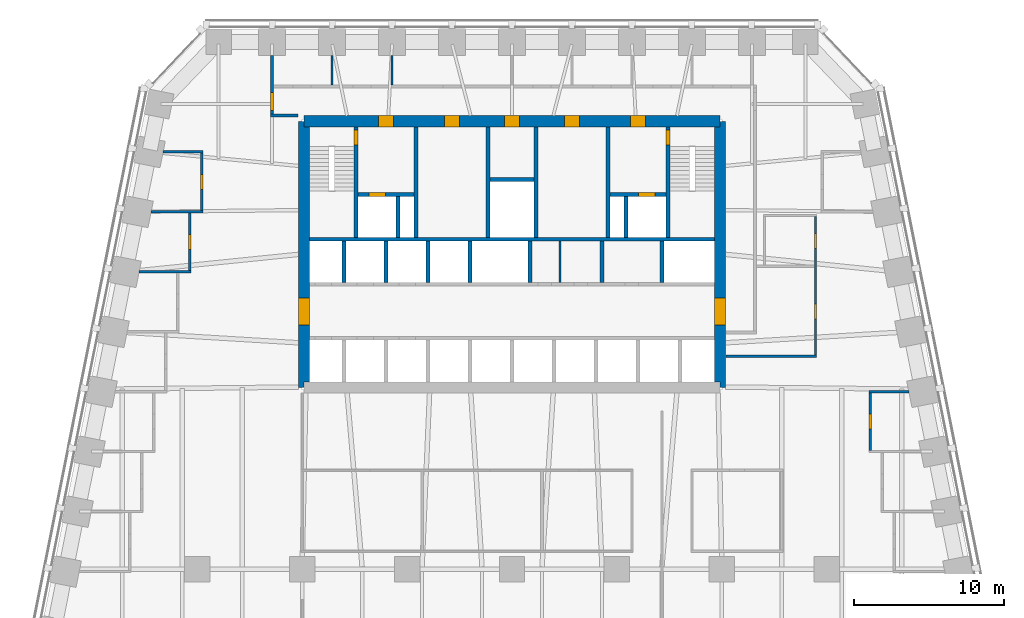
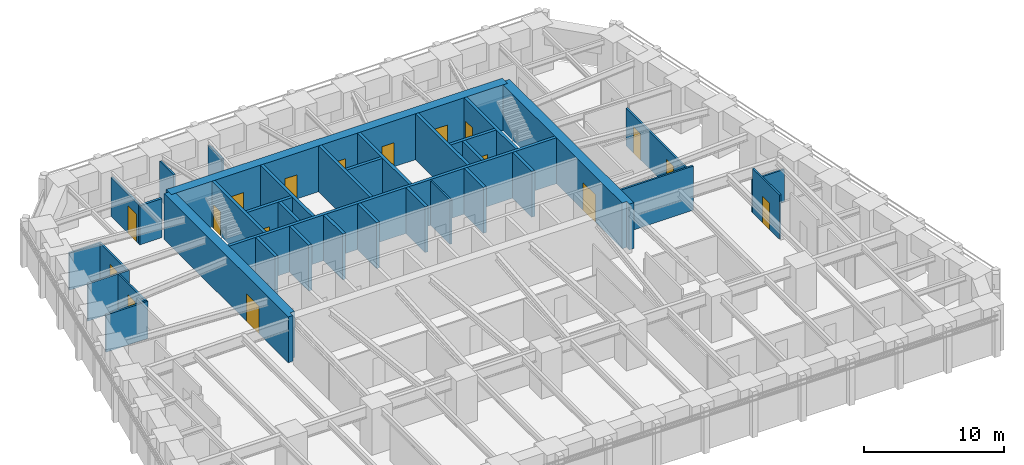
# One storey, part 7 of 10: 36 walls, 17 doors, 17 openings.
"""IFC4 building model written with IfcOpenShell, lengths in metres."""

from ifc_helpers import new_model, si_unit, direction, frame, frame_2d, origin, place, context, subcontext, project, spatial, polyline, rectangle, outline, extrude, material, layer, layer_set, type_object, element, fill, save


model = new_model("IFC4")

# Units and contexts
model_context = context("Model", 3, precision=1e-05, world=origin(), true_north=direction((0.0, 1.0)))
body_context = subcontext(model_context, "Body", "Model", "MODEL_VIEW")
ifc_project = project(units=[si_unit("LENGTHUNIT", "METRE"), si_unit("AREAUNIT", "SQUARE_METRE"), si_unit("VOLUMEUNIT", "CUBIC_METRE"), si_unit("PLANEANGLEUNIT", "RADIAN"), si_unit("MASSUNIT", "GRAM", prefix="KILO")], contexts=[model_context])

# Site, building, storey
site_placement = place(None, origin())
site = spatial("IfcSite", under=ifc_project, at=site_placement, CompositionType="ELEMENT")
building_placement = place(site_placement, origin())
building = spatial("IfcBuilding", under=site, at=building_placement, Name="Isbrekke Arena Tower", CompositionType="ELEMENT")
storey_placement = place(building_placement, frame((0.0, 0.0, 159.0)))
storey = spatial("IfcBuildingStorey", under=building, at=storey_placement, Name="L36", CompositionType="ELEMENT", Elevation=159.0)

# Wall, opening, door
ifc_material_1 = material(Name="Concrete B55 (C55/67)", Category="concrete")
ifc_layer_1 = layer(ifc_material_1, 0.75)
ifc_layer_set_1 = layer_set([ifc_layer_1], Name="CW3 CORE WALL 750")
wall_type_1 = type_object("IfcWallType", Name="CW3 CORE WALL 750", PredefinedType="SHEAR", material=ifc_layer_set_1)
wall_1_placement = place(storey_placement, frame((13.875, 6.125, 0.0), z_axis=(0.0, 0.0, 1.0), x_axis=(0.0, 1.0, 0.0)))
wall_1 = element("IfcWall", 1, at=wall_1_placement, inside=storey, type_object=wall_type_1, Name="Core wall E L36", PredefinedType="SHEAR", context=body_context, shape_type="SweptSolid", body=[
    extrude(outline(polyline([(0.0, -0.375), (17.75, -0.375), (17.75, 0.0), (17.375, 0.0), (17.375, 0.375), (0.375, 0.375), (0.375, 0.0), (0.0, 0.0), (0.0, -0.375)])), origin(), (0.0, 0.0, 1.0), 4.0),
])
opening_1_placement = place(wall_1_placement, frame((4.175048828125, 0.0, 0.0)))
opening_1 = element("IfcOpeningElement", 2, at=opening_1_placement, cuts=wall_1, Name="Opening D1", PredefinedType="OPENING", context=body_context, shape_type="SweptSolid", body=[
    extrude(rectangle(XDim=1.800048828125, YDim=2.39990234375, at=frame_2d((0.89990234375, 1.199951171875))), frame((0.0, 0.389892578125, 0.0), z_axis=(0.0, -1.0, 0.0), x_axis=(1.0, 0.0, 0.0)), (0.0, 0.0, 1.0), 0.77978515625),
])
ifc_material_2 = material(Name="Steel-framed glazed fire door", Category="steel")
door_type_1 = type_object("IfcDoorType", Name="D1 CORE LOBBY DOOR 1800 x 2400", OperationType="DOUBLE_DOOR_SINGLE_SWING", PredefinedType="DOOR", material=ifc_material_2)
door_1_placement = place(opening_1_placement, origin())
door_1 = element("IfcDoor", 3, at=door_1_placement, inside=storey, type_object=door_type_1, Name="D1 lift lobby door east L36", OperationType="DOUBLE_DOOR_SINGLE_SWING", OverallHeight=2.39990234375, OverallWidth=1.800048828125, PredefinedType="DOOR", context=body_context, shape_type="SweptSolid", body=[
    extrude(rectangle(XDim=1.800048828125, YDim=2.39990234375, at=frame_2d((0.89990234375, 1.199951171875))), frame((0.0, 0.374755859375, 0.0), z_axis=(0.0, -1.0, 0.0), x_axis=(1.0, 0.0, 0.0)), (0.0, 0.0, 1.0), 0.74951171875),
])
fill(opening_1, door_1)

# Wall, openings, doors
wall_2_placement = place(storey_placement, frame((13.875, 23.875, 0.0), z_axis=(0.0, 0.0, 1.0), x_axis=(-1.0, 0.0, 0.0)))
wall_2 = element("IfcWall", 4, at=wall_2_placement, inside=storey, type_object=wall_type_1, Name="Core wall N L36", PredefinedType="SHEAR", context=body_context, shape_type="SweptSolid", body=[
    extrude(rectangle(XDim=27.75, YDim=0.75, at=frame_2d((13.875, 0.0))), origin(), (0.0, 0.0, 1.0), 4.0),
])
opening_2_placement = place(wall_2_placement, frame((21.77490234375, 0.0, 0.0)))
opening_2 = element("IfcOpeningElement", 5, at=opening_2_placement, cuts=wall_2, Name="Opening D3", PredefinedType="OPENING", context=body_context, shape_type="SweptSolid", body=[
    extrude(rectangle(XDim=1.0, YDim=2.10009765625, at=frame_2d((0.5, 1.050048828125))), frame((0.0, 0.389892578125, 0.0), z_axis=(0.0, -1.0, 0.0), x_axis=(1.0, 0.0, 0.0)), (0.0, 0.0, 1.0), 0.77978515625),
])
opening_3_placement = place(wall_2_placement, frame((4.97509765625, 0.0, 0.0)))
opening_3 = element("IfcOpeningElement", 6, at=opening_3_placement, cuts=wall_2, Name="Opening D3", PredefinedType="OPENING", context=body_context, shape_type="SweptSolid", body=[
    extrude(rectangle(XDim=1.0, YDim=2.10009765625, at=frame_2d((0.5, 1.050048828125))), frame((0.0, 0.389892578125, 0.0), z_axis=(0.0, -1.0, 0.0), x_axis=(1.0, 0.0, 0.0)), (0.0, 0.0, 1.0), 0.77978515625),
])
opening_4_placement = place(wall_2_placement, frame((17.375, 0.0, 0.0)))
opening_4 = element("IfcOpeningElement", 7, at=opening_4_placement, cuts=wall_2, Name="Opening D4", PredefinedType="OPENING", context=body_context, shape_type="SweptSolid", body=[
    extrude(rectangle(XDim=1.0, YDim=2.10009765625, at=frame_2d((0.5, 1.050048828125))), frame((0.0, 0.389892578125, 0.0), z_axis=(0.0, -1.0, 0.0), x_axis=(1.0, 0.0, 0.0)), (0.0, 0.0, 1.0), 0.77978515625),
])
opening_5_placement = place(wall_2_placement, frame((13.375, 0.0, 0.0)))
opening_5 = element("IfcOpeningElement", 8, at=opening_5_placement, cuts=wall_2, Name="Opening D4", PredefinedType="OPENING", context=body_context, shape_type="SweptSolid", body=[
    extrude(rectangle(XDim=1.0, YDim=2.10009765625, at=frame_2d((0.5, 1.050048828125))), frame((0.0, 0.389892578125, 0.0), z_axis=(0.0, -1.0, 0.0), x_axis=(1.0, 0.0, 0.0)), (0.0, 0.0, 1.0), 0.77978515625),
])
opening_6_placement = place(wall_2_placement, frame((9.375, 0.0, 0.0)))
opening_6 = element("IfcOpeningElement", 9, at=opening_6_placement, cuts=wall_2, Name="Opening D4", PredefinedType="OPENING", context=body_context, shape_type="SweptSolid", body=[
    extrude(rectangle(XDim=1.0, YDim=2.10009765625, at=frame_2d((0.5, 1.050048828125))), frame((0.0, 0.389892578125, 0.0), z_axis=(0.0, -1.0, 0.0), x_axis=(1.0, 0.0, 0.0)), (0.0, 0.0, 1.0), 0.77978515625),
])
ifc_material_3 = material(Name="Steel fire door", Category="steel")
door_type_2 = type_object("IfcDoorType", Name="D3 FIRE LOBBY DOOR 1000 x 2100", OperationType="SINGLE_SWING_RIGHT", PredefinedType="DOOR", material=ifc_material_3)
door_2_placement = place(opening_2_placement, origin())
door_2 = element("IfcDoor", 10, at=door_2_placement, inside=storey, type_object=door_type_2, Name="D3 fire-fighting lobby door L36", OperationType="SINGLE_SWING_RIGHT", OverallHeight=2.10009765625, OverallWidth=1.0, PredefinedType="DOOR", context=body_context, shape_type="SweptSolid", body=[
    extrude(rectangle(XDim=1.0, YDim=2.10009765625, at=frame_2d((0.5, 1.050048828125))), frame((0.0, 0.374755859375, 0.0), z_axis=(0.0, -1.0, 0.0), x_axis=(1.0, 0.0, 0.0)), (0.0, 0.0, 1.0), 0.74951171875),
])
fill(opening_2, door_2)
door_3_placement = place(opening_3_placement, origin())
door_3 = element("IfcDoor", 11, at=door_3_placement, inside=storey, type_object=door_type_2, Name="D3 fire-fighting lobby door L36", OperationType="SINGLE_SWING_RIGHT", OverallHeight=2.10009765625, OverallWidth=1.0, PredefinedType="DOOR", context=body_context, shape_type="SweptSolid", body=[
    extrude(rectangle(XDim=1.0, YDim=2.10009765625, at=frame_2d((0.5, 1.050048828125))), frame((0.0, 0.374755859375, 0.0), z_axis=(0.0, -1.0, 0.0), x_axis=(1.0, 0.0, 0.0)), (0.0, 0.0, 1.0), 0.74951171875),
])
fill(opening_3, door_3)
ifc_material_4 = material(Name="Timber door", Category="wood")
door_type_3 = type_object("IfcDoorType", Name="D4 WC DOOR 1000 x 2100", OperationType="SINGLE_SWING_LEFT", PredefinedType="DOOR", material=ifc_material_4)
door_4_placement = place(opening_4_placement, origin())
door_4 = element("IfcDoor", 12, at=door_4_placement, inside=storey, type_object=door_type_3, Name="D4 wc female door L36", OperationType="SINGLE_SWING_LEFT", OverallHeight=2.10009765625, OverallWidth=1.0, PredefinedType="DOOR", context=body_context, shape_type="SweptSolid", body=[
    extrude(rectangle(XDim=1.0, YDim=2.10009765625, at=frame_2d((0.5, 1.050048828125))), frame((0.0, 0.374755859375, 0.0), z_axis=(0.0, -1.0, 0.0), x_axis=(1.0, 0.0, 0.0)), (0.0, 0.0, 1.0), 0.74951171875),
])
fill(opening_4, door_4)
door_5_placement = place(opening_5_placement, origin())
door_5 = element("IfcDoor", 13, at=door_5_placement, inside=storey, type_object=door_type_3, Name="D4 accessible wc door L36", OperationType="SINGLE_SWING_LEFT", OverallHeight=2.10009765625, OverallWidth=1.0, PredefinedType="DOOR", context=body_context, shape_type="SweptSolid", body=[
    extrude(rectangle(XDim=1.0, YDim=2.10009765625, at=frame_2d((0.5, 1.050048828125))), frame((0.0, 0.374755859375, 0.0), z_axis=(0.0, -1.0, 0.0), x_axis=(1.0, 0.0, 0.0)), (0.0, 0.0, 1.0), 0.74951171875),
])
fill(opening_5, door_5)
door_6_placement = place(opening_6_placement, origin())
door_6 = element("IfcDoor", 14, at=door_6_placement, inside=storey, type_object=door_type_3, Name="D4 wc male door L36", OperationType="SINGLE_SWING_LEFT", OverallHeight=2.10009765625, OverallWidth=1.0, PredefinedType="DOOR", context=body_context, shape_type="SweptSolid", body=[
    extrude(rectangle(XDim=1.0, YDim=2.10009765625, at=frame_2d((0.5, 1.050048828125))), frame((0.0, 0.374755859375, 0.0), z_axis=(0.0, -1.0, 0.0), x_axis=(1.0, 0.0, 0.0)), (0.0, 0.0, 1.0), 0.74951171875),
])
fill(opening_6, door_6)

# Wall, opening, door
wall_3_placement = place(storey_placement, frame((-13.875, 23.875, 0.0), z_axis=(0.0, 0.0, 1.0), x_axis=(0.0, -1.0, 0.0)))
wall_3 = element("IfcWall", 15, at=wall_3_placement, inside=storey, type_object=wall_type_1, Name="Core wall W L36", PredefinedType="SHEAR", context=body_context, shape_type="SweptSolid", body=[
    extrude(outline(polyline([(0.0, -0.375), (17.75, -0.375), (17.75, 0.0), (17.375, 0.0), (17.375, 0.375), (0.375, 0.375), (0.375, 0.0), (0.0, 0.0), (0.0, -0.375)])), origin(), (0.0, 0.0, 1.0), 4.0),
])
opening_7_placement = place(wall_3_placement, frame((11.77490234375, 0.0, 0.0)))
opening_7 = element("IfcOpeningElement", 16, at=opening_7_placement, cuts=wall_3, Name="Opening D1", PredefinedType="OPENING", context=body_context, shape_type="SweptSolid", body=[
    extrude(rectangle(XDim=1.800048828125, YDim=2.39990234375, at=frame_2d((0.89990234375, 1.199951171875))), frame((0.0, 0.389892578125, 0.0), z_axis=(0.0, -1.0, 0.0), x_axis=(1.0, 0.0, 0.0)), (0.0, 0.0, 1.0), 0.77978515625),
])
door_7_placement = place(opening_7_placement, origin())
door_7 = element("IfcDoor", 17, at=door_7_placement, inside=storey, type_object=door_type_1, Name="D1 lift lobby door west L36", OperationType="DOUBLE_DOOR_SINGLE_SWING", OverallHeight=2.39990234375, OverallWidth=1.800048828125, PredefinedType="DOOR", context=body_context, shape_type="SweptSolid", body=[
    extrude(rectangle(XDim=1.800048828125, YDim=2.39990234375, at=frame_2d((0.89990234375, 1.199951171875))), frame((0.0, 0.374755859375, 0.0), z_axis=(0.0, -1.0, 0.0), x_axis=(1.0, 0.0, 0.0)), (0.0, 0.0, 1.0), 0.74951171875),
])
fill(opening_7, door_7)

# Walls
ifc_material_5 = material(Name="Concrete B45 (C45/55)", Category="concrete")
ifc_layer_2 = layer(ifc_material_5, 0.25)
ifc_layer_set_2 = layer_set([ifc_layer_2], Name="CW6 SHAFT WALL 250")
wall_type_2 = type_object("IfcWallType", Name="CW6 SHAFT WALL 250", PredefinedType="SHEAR", material=ifc_layer_set_2)
wall_4_placement = place(storey_placement, frame((-13.5, 16.0, 0.0), z_axis=(0.0, 0.0, 1.0), x_axis=(1.0, 0.0, 0.0)))
element("IfcWall", 18, at=wall_4_placement, inside=storey, type_object=wall_type_2, Name="Core wall NB L36", PredefinedType="SHEAR", context=body_context, shape_type="SweptSolid", body=[
    extrude(rectangle(XDim=27.0, YDim=0.25, at=frame_2d((13.5, 0.0))), origin(), (0.0, 0.0, 1.0), 4.0),
])
for number, where, z_axis, x_axis, name in (
    (19, (-11.199951171875, 13.125, 0.0), (0.0, 0.0, 1.0), (0.0, 1.0, 0.0), "Core wall SN01 L36"),
    (20, (-8.39990234375, 13.125, 0.0), (0.0, 0.0, 1.0), (0.0, 1.0, 0.0), "Core wall SN02 L36"),
    (21, (-5.60009765625, 13.125, 0.0), (0.0, 0.0, 1.0), (0.0, 1.0, 0.0), "Core wall SN03 L36"),
    (22, (-2.800048828125, 13.125, 0.0), (0.0, 0.0, 1.0), (0.0, 1.0, 0.0), "Core wall SN04 L36"),
    (23, (1.199951171875, 13.125, 0.0), (0.0, 0.0, 1.0), (0.0, 1.0, 0.0), "Core wall SN05 L36"),
    (24, (6.0, 13.125, 0.0), (0.0, 0.0, 1.0), (0.0, 1.0, 0.0), "Core wall SN06 L36"),
    (25, (10.0, 13.125, 0.0), (0.0, 0.0, 1.0), (0.0, 1.0, 0.0), "Core wall SN07 L36"),
):
    element("IfcWall", number, at=place(storey_placement, frame(where, z_axis=z_axis, x_axis=x_axis)), inside=storey, type_object=wall_type_2, Name=name, PredefinedType="SHEAR", context=body_context, shape_type="SweptSolid", body=[
        extrude(rectangle(XDim=2.75, YDim=0.25, at=frame_2d((1.375, 0.0))), origin(), (0.0, 0.0, 1.0), 4.0),
    ])

# Wall, opening, door
wall_5_placement = place(storey_placement, frame((-10.39990234375, 16.125, 0.0), z_axis=(0.0, 0.0, 1.0), x_axis=(0.0, 1.0, 0.0)))
wall_5 = element("IfcWall", 26, at=wall_5_placement, inside=storey, type_object=wall_type_2, Name="Core wall NV01 L36", PredefinedType="SHEAR", context=body_context, shape_type="SweptSolid", body=[
    extrude(rectangle(XDim=7.375, YDim=0.25, at=frame_2d((3.6875, 0.0))), origin(), (0.0, 0.0, 1.0), 4.0),
])
opening_8_placement = place(wall_5_placement, frame((6.175048828125, 0.0, 0.0)))
opening_8 = element("IfcOpeningElement", 27, at=opening_8_placement, cuts=wall_5, Name="Opening D2", PredefinedType="OPENING", context=body_context, shape_type="SweptSolid", body=[
    extrude(rectangle(XDim=1.0, YDim=2.10009765625, at=frame_2d((0.5, 1.050048828125))), frame((0.0, 0.139892578125, 0.0), z_axis=(0.0, -1.0, 0.0), x_axis=(1.0, 0.0, 0.0)), (0.0, 0.0, 1.0), 0.27978515625),
])
ifc_material_6 = material(Name="Steel fire door", Category="steel")
door_type_4 = type_object("IfcDoorType", Name="D2 STAIR DOOR 1000 x 2100", OperationType="SINGLE_SWING_LEFT", PredefinedType="DOOR", material=ifc_material_6)
door_8_placement = place(opening_8_placement, origin())
door_8 = element("IfcDoor", 28, at=door_8_placement, inside=storey, type_object=door_type_4, Name="D2 stair door ST1 L36", OperationType="SINGLE_SWING_LEFT", OverallHeight=2.10009765625, OverallWidth=1.0, PredefinedType="DOOR", context=body_context, shape_type="SweptSolid", body=[
    extrude(rectangle(XDim=1.0, YDim=2.10009765625, at=frame_2d((0.5, 1.050048828125))), frame((0.0, 0.124755859375, 0.0), z_axis=(0.0, -1.0, 0.0), x_axis=(1.0, 0.0, 0.0)), (0.0, 0.0, 1.0), 0.24951171875),
])
fill(opening_8, door_8)

# Walls
for number, where, z_axis, x_axis, name in (
    (29, (-6.39990234375, 16.125, 0.0), (0.0, 0.0, 1.0), (0.0, 1.0, 0.0), "Core wall NV02 L36"),
    (30, (-1.60009765625, 16.125, 0.0), (0.0, 0.0, 1.0), (0.0, 1.0, 0.0), "Core wall NV03 L36"),
    (31, (1.60009765625, 16.125, 0.0), (0.0, 0.0, 1.0), (0.0, 1.0, 0.0), "Core wall NV04 L36"),
    (32, (6.39990234375, 16.125, 0.0), (0.0, 0.0, 1.0), (0.0, 1.0, 0.0), "Core wall NV05 L36"),
):
    element("IfcWall", number, at=place(storey_placement, frame(where, z_axis=z_axis, x_axis=x_axis)), inside=storey, type_object=wall_type_2, Name=name, PredefinedType="SHEAR", context=body_context, shape_type="SweptSolid", body=[
        extrude(rectangle(XDim=7.375, YDim=0.25, at=frame_2d((3.6875, 0.0))), origin(), (0.0, 0.0, 1.0), 4.0),
    ])

# Wall, opening, door
wall_6_placement = place(storey_placement, frame((10.39990234375, 16.125, 0.0), z_axis=(0.0, 0.0, 1.0), x_axis=(0.0, 1.0, 0.0)))
wall_6 = element("IfcWall", 33, at=wall_6_placement, inside=storey, type_object=wall_type_2, Name="Core wall NV06 L36", PredefinedType="SHEAR", context=body_context, shape_type="SweptSolid", body=[
    extrude(rectangle(XDim=7.375, YDim=0.25, at=frame_2d((3.6875, 0.0))), origin(), (0.0, 0.0, 1.0), 4.0),
])
opening_9_placement = place(wall_6_placement, frame((6.175048828125, 0.0, 0.0)))
opening_9 = element("IfcOpeningElement", 34, at=opening_9_placement, cuts=wall_6, Name="Opening D2", PredefinedType="OPENING", context=body_context, shape_type="SweptSolid", body=[
    extrude(rectangle(XDim=1.0, YDim=2.10009765625, at=frame_2d((0.5, 1.050048828125))), frame((0.0, 0.139892578125, 0.0), z_axis=(0.0, -1.0, 0.0), x_axis=(1.0, 0.0, 0.0)), (0.0, 0.0, 1.0), 0.27978515625),
])
door_9_placement = place(opening_9_placement, origin())
door_9 = element("IfcDoor", 35, at=door_9_placement, inside=storey, type_object=door_type_4, Name="D2 stair door ST2 L36", OperationType="SINGLE_SWING_LEFT", OverallHeight=2.10009765625, OverallWidth=1.0, PredefinedType="DOOR", context=body_context, shape_type="SweptSolid", body=[
    extrude(rectangle(XDim=1.0, YDim=2.10009765625, at=frame_2d((0.5, 1.050048828125))), frame((0.0, 0.124755859375, 0.0), z_axis=(0.0, -1.0, 0.0), x_axis=(1.0, 0.0, 0.0)), (0.0, 0.0, 1.0), 0.24951171875),
])
fill(opening_9, door_9)

wall_7_placement = place(storey_placement, frame((-10.27490234375, 19.0, 0.0), z_axis=(0.0, 0.0, 1.0), x_axis=(1.0, 0.0, 0.0)))
wall_7 = element("IfcWall", 36, at=wall_7_placement, inside=storey, type_object=wall_type_2, Name="Core wall NFW L36", PredefinedType="SHEAR", context=body_context, shape_type="SweptSolid", body=[
    extrude(rectangle(XDim=3.75, YDim=0.25, at=frame_2d((1.875, 0.0))), origin(), (0.0, 0.0, 1.0), 4.0),
])
opening_10_placement = place(wall_7_placement, frame((0.72509765625, 0.0, 0.0)))
opening_10 = element("IfcOpeningElement", 37, at=opening_10_placement, cuts=wall_7, Name="Opening LD2", PredefinedType="OPENING", context=body_context, shape_type="SweptSolid", body=[
    extrude(rectangle(XDim=1.10009765625, YDim=2.10009765625, at=frame_2d((0.550048828125, 1.050048828125))), frame((0.0, 0.139892578125, 0.0), z_axis=(0.0, -1.0, 0.0), x_axis=(1.0, 0.0, 0.0)), (0.0, 0.0, 1.0), 0.27978515625),
])
ifc_material_7 = material(Name="Stainless steel lift landing door", Category="steel")
door_type_5 = type_object("IfcDoorType", Name="LD2 FIRE-FIGHTING LIFT LANDING DOOR 1100 x 2100", OperationType="SLIDING_TO_RIGHT", PredefinedType="DOOR", material=ifc_material_7)
door_10_placement = place(opening_10_placement, origin())
door_10 = element("IfcDoor", 38, at=door_10_placement, inside=storey, type_object=door_type_5, Name="LD2 lift landing door LF L36", OperationType="SLIDING_TO_RIGHT", OverallHeight=2.10009765625, OverallWidth=1.10009765625, PredefinedType="DOOR", context=body_context, shape_type="SweptSolid", body=[
    extrude(rectangle(XDim=1.10009765625, YDim=2.10009765625, at=frame_2d((0.550048828125, 1.050048828125))), frame((0.0, 0.124755859375, 0.0), z_axis=(0.0, -1.0, 0.0), x_axis=(1.0, 0.0, 0.0)), (0.0, 0.0, 1.0), 0.24951171875),
])
fill(opening_10, door_10)

wall_8_placement = place(storey_placement, frame((6.52490234375, 19.0, 0.0), z_axis=(0.0, 0.0, 1.0), x_axis=(1.0, 0.0, 0.0)))
wall_8 = element("IfcWall", 39, at=wall_8_placement, inside=storey, type_object=wall_type_2, Name="Core wall NFE L36", PredefinedType="SHEAR", context=body_context, shape_type="SweptSolid", body=[
    extrude(rectangle(XDim=3.75, YDim=0.25, at=frame_2d((1.875, 0.0))), origin(), (0.0, 0.0, 1.0), 4.0),
])
opening_11_placement = place(wall_8_placement, frame((1.925048828125, 0.0, 0.0)))
opening_11 = element("IfcOpeningElement", 40, at=opening_11_placement, cuts=wall_8, Name="Opening LD2", PredefinedType="OPENING", context=body_context, shape_type="SweptSolid", body=[
    extrude(rectangle(XDim=1.10009765625, YDim=2.10009765625, at=frame_2d((0.550048828125, 1.050048828125))), frame((0.0, 0.139892578125, 0.0), z_axis=(0.0, -1.0, 0.0), x_axis=(1.0, 0.0, 0.0)), (0.0, 0.0, 1.0), 0.27978515625),
])
door_11_placement = place(opening_11_placement, origin())
door_11 = element("IfcDoor", 41, at=door_11_placement, inside=storey, type_object=door_type_5, Name="LD2 lift landing door LF L36", OperationType="SLIDING_TO_RIGHT", OverallHeight=2.10009765625, OverallWidth=1.10009765625, PredefinedType="DOOR", context=body_context, shape_type="SweptSolid", body=[
    extrude(rectangle(XDim=1.10009765625, YDim=2.10009765625, at=frame_2d((0.550048828125, 1.050048828125))), frame((0.0, 0.124755859375, 0.0), z_axis=(0.0, -1.0, 0.0), x_axis=(1.0, 0.0, 0.0)), (0.0, 0.0, 1.0), 0.24951171875),
])
fill(opening_11, door_11)

# Walls
for number, where, z_axis, x_axis, name in (
    (42, (-7.60009765625, 16.125, 0.0), (0.0, 0.0, 1.0), (0.0, 1.0, 0.0), "Core wall NFS1 L36"),
    (43, (7.60009765625, 16.125, 0.0), (0.0, 0.0, 1.0), (0.0, 1.0, 0.0), "Core wall NFS2 L36"),
):
    element("IfcWall", number, at=place(storey_placement, frame(where, z_axis=z_axis, x_axis=x_axis)), inside=storey, type_object=wall_type_2, Name=name, PredefinedType="SHEAR", context=body_context, shape_type="SweptSolid", body=[
        extrude(rectangle(XDim=2.75, YDim=0.25, at=frame_2d((1.375, 0.0))), origin(), (0.0, 0.0, 1.0), 4.0),
    ])
wall_9_placement = place(storey_placement, frame((-1.47509765625, 20.0, 0.0), z_axis=(0.0, 0.0, 1.0), x_axis=(1.0, 0.0, 0.0)))
element("IfcWall", 44, at=wall_9_placement, inside=storey, type_object=wall_type_2, Name="Core wall NWC L36", PredefinedType="SHEAR", context=body_context, shape_type="SweptSolid", body=[
    extrude(rectangle(XDim=2.9501953125, YDim=0.25, at=frame_2d((1.47509765625, 0.0))), origin(), (0.0, 0.0, 1.0), 4.0),
])
ifc_material_8 = material(Name="Gypsum board partition on steel studs", Category="steel")
ifc_layer_3 = layer(ifc_material_8, 0.14990234375)
ifc_layer_set_3 = layer_set([ifc_layer_3], Name="IW1 PARTITION 150")
wall_type_3 = type_object("IfcWallType", Name="IW1 PARTITION 150", PredefinedType="PARTITIONING", material=ifc_layer_set_3)
wall_10_placement = place(storey_placement, frame((23.824951171875, 5.840087890625, 0.0), z_axis=(0.0, 0.0, 1.0), x_axis=(1.0, 0.0, 0.0)))
element("IfcWall", 45, at=wall_10_placement, inside=storey, type_object=wall_type_3, Name="IW1 partition 150 L36", PredefinedType="PARTITIONING", context=body_context, shape_type="SweptSolid", body=[
    extrude(rectangle(XDim=2.64794921875, YDim=0.14990234375, at=frame_2d((1.323974609375, 0.0))), origin(), (0.0, 0.0, 1.0), 2.842041015625),
])
wall_11_placement = place(storey_placement, frame((14.280029296875, 8.199951171875, 0.0), z_axis=(0.0, 0.0, 1.0), x_axis=(1.0, 0.0, 0.0)))
element("IfcWall", 46, at=wall_11_placement, inside=storey, type_object=wall_type_3, Name="IW1 partition 150 L36", PredefinedType="PARTITIONING", context=body_context, shape_type="SweptSolid", body=[
    extrude(rectangle(XDim=6.044921875, YDim=0.14990234375, at=frame_2d((3.0224609375, 0.0))), origin(), (0.0, 0.0, 1.0), 3.85009765625),
])
for number, where, z_axis, x_axis, name in (
    (47, (-24.872802734375, 13.840087890625, 0.0), (0.0, 0.0, 1.0), (1.0, 0.0, 0.0), "IW1 partition 150 L36"),
    (48, (-24.07275390625, 17.840087890625, 0.0), (0.0, 0.0, 1.0), (1.0, 0.0, 0.0), "IW1 partition 150 L36"),
):
    element("IfcWall", number, at=place(storey_placement, frame(where, z_axis=z_axis, x_axis=x_axis)), inside=storey, type_object=wall_type_3, Name=name, PredefinedType="PARTITIONING", context=body_context, shape_type="SweptSolid", body=[
        extrude(rectangle(XDim=3.44775390625, YDim=0.14990234375, at=frame_2d((1.723876953125, 0.0))), origin(), (0.0, 0.0, 1.0), 3.25),
    ])
wall_12_placement = place(storey_placement, frame((-23.272705078125, 21.840087890625, 0.0), z_axis=(0.0, 0.0, 1.0), x_axis=(1.0, 0.0, 0.0)))
element("IfcWall", 49, at=wall_12_placement, inside=storey, type_object=wall_type_3, Name="IW1 partition 150 L36", PredefinedType="PARTITIONING", context=body_context, shape_type="SweptSolid", body=[
    extrude(rectangle(XDim=2.647705078125, YDim=0.14990234375, at=frame_2d((1.32373046875, 0.0))), origin(), (0.0, 0.0, 1.0), 3.25),
])

# Wall, opening, door
wall_13_placement = place(storey_placement, frame((-21.5, 13.9150390625, 0.0), z_axis=(0.0, 0.0, 1.0), x_axis=(0.0, 1.0, 0.0)))
wall_13 = element("IfcWall", 50, at=wall_13_placement, inside=storey, type_object=wall_type_3, Name="IW1 partition 150 L36", PredefinedType="PARTITIONING", context=body_context, shape_type="SweptSolid", body=[
    extrude(rectangle(XDim=3.849853515625, YDim=0.14990234375, at=frame_2d((1.9248046875, 0.0))), origin(), (0.0, 0.0, 1.0), 3.25),
])
opening_12_placement = place(wall_13_placement, frame((1.425048828125, 0.0, 0.0)))
opening_12 = element("IfcOpeningElement", 51, at=opening_12_placement, cuts=wall_13, Name="Opening D10", PredefinedType="OPENING", context=body_context, shape_type="SweptSolid", body=[
    extrude(rectangle(XDim=1.0, YDim=2.300048828125, at=frame_2d((0.5, 1.14990234375))), frame((0.0, 0.08984375, 0.0), z_axis=(0.0, -1.0, 0.0), x_axis=(1.0, 0.0, 0.0)), (0.0, 0.0, 1.0), 0.1796875),
])
ifc_material_9 = material(Name="Timber door", Category="wood")
door_type_6 = type_object("IfcDoorType", Name="D10 OFFICE DOOR 1000 x 2300", OperationType="SINGLE_SWING_LEFT", PredefinedType="DOOR", material=ifc_material_9)
door_12_placement = place(opening_12_placement, origin())
door_12 = element("IfcDoor", 52, at=door_12_placement, inside=storey, type_object=door_type_6, Name="D10 office door L36", OperationType="SINGLE_SWING_LEFT", OverallHeight=2.300048828125, OverallWidth=1.0, PredefinedType="DOOR", context=body_context, shape_type="SweptSolid", body=[
    extrude(rectangle(XDim=1.0, YDim=2.300048828125, at=frame_2d((0.5, 1.14990234375))), frame((0.0, 0.07470703125, 0.0), z_axis=(0.0, -1.0, 0.0), x_axis=(1.0, 0.0, 0.0)), (0.0, 0.0, 1.0), 0.1494140625),
])
fill(opening_12, door_12)

wall_14_placement = place(storey_placement, frame((-20.699951171875, 17.9150390625, 0.0), z_axis=(0.0, 0.0, 1.0), x_axis=(0.0, 1.0, 0.0)))
wall_14 = element("IfcWall", 53, at=wall_14_placement, inside=storey, type_object=wall_type_3, Name="IW1 partition 150 L36", PredefinedType="PARTITIONING", context=body_context, shape_type="SweptSolid", body=[
    extrude(rectangle(XDim=3.849853515625, YDim=0.14990234375, at=frame_2d((1.9248046875, 0.0))), origin(), (0.0, 0.0, 1.0), 3.25),
])
opening_13_placement = place(wall_14_placement, frame((1.425048828125, 0.0, 0.0)))
opening_13 = element("IfcOpeningElement", 54, at=opening_13_placement, cuts=wall_14, Name="Opening D10", PredefinedType="OPENING", context=body_context, shape_type="SweptSolid", body=[
    extrude(rectangle(XDim=1.0, YDim=2.300048828125, at=frame_2d((0.5, 1.14990234375))), frame((0.0, 0.08984375, 0.0), z_axis=(0.0, -1.0, 0.0), x_axis=(1.0, 0.0, 0.0)), (0.0, 0.0, 1.0), 0.1796875),
])
door_13_placement = place(opening_13_placement, origin())
door_13 = element("IfcDoor", 55, at=door_13_placement, inside=storey, type_object=door_type_6, Name="D10 office door L36", OperationType="SINGLE_SWING_LEFT", OverallHeight=2.300048828125, OverallWidth=1.0, PredefinedType="DOOR", context=body_context, shape_type="SweptSolid", body=[
    extrude(rectangle(XDim=1.0, YDim=2.300048828125, at=frame_2d((0.5, 1.14990234375))), frame((0.0, 0.07470703125, 0.0), z_axis=(0.0, -1.0, 0.0), x_axis=(1.0, 0.0, 0.0)), (0.0, 0.0, 1.0), 0.1494140625),
])
fill(opening_13, door_13)

# Walls
for number, where, z_axis, x_axis, name in (
    (56, (-12.0, 26.300048828125, 0.0), (0.0, 0.0, 1.0), (0.0, 1.0, 0.0), "IW1 partition 150 L36"),
    (57, (-8.0, 26.300048828125, 0.0), (0.0, 0.0, 1.0), (0.0, 1.0, 0.0), "IW1 partition 150 L36"),
):
    element("IfcWall", number, at=place(storey_placement, frame(where, z_axis=z_axis, x_axis=x_axis)), inside=storey, type_object=wall_type_3, Name=name, PredefinedType="PARTITIONING", context=body_context, shape_type="SweptSolid", body=[
        extrude(rectangle(XDim=1.974853515625, YDim=0.14990234375, at=frame_2d((0.9873046875, 0.0))), origin(), (0.0, 0.0, 1.0), 3.39990234375),
    ])

# Wall, openings, doors
wall_15_placement = place(storey_placement, frame((20.25, 8.27490234375, 0.0), z_axis=(0.0, 0.0, 1.0), x_axis=(0.0, 1.0, 0.0)))
wall_15 = element("IfcWall", 58, at=wall_15_placement, inside=storey, type_object=wall_type_3, Name="IW1 partition 150 L36", PredefinedType="PARTITIONING", context=body_context, shape_type="SweptSolid", body=[
    extrude(rectangle(XDim=9.25, YDim=0.14990234375, at=frame_2d((4.625, 0.0))), origin(), (0.0, 0.0, 1.0), 3.25),
])
opening_14_placement = place(wall_15_placement, frame((2.425048828125, 0.0, 0.0)))
opening_14 = element("IfcOpeningElement", 59, at=opening_14_placement, cuts=wall_15, Name="Opening D10", PredefinedType="OPENING", context=body_context, shape_type="SweptSolid", body=[
    extrude(rectangle(XDim=1.0, YDim=2.300048828125, at=frame_2d((0.5, 1.14990234375))), frame((0.0, 0.08984375, 0.0), z_axis=(0.0, -1.0, 0.0), x_axis=(1.0, 0.0, 0.0)), (0.0, 0.0, 1.0), 0.1796875),
])
opening_15_placement = place(wall_15_placement, frame((7.125, 0.0, 0.0)))
opening_15 = element("IfcOpeningElement", 60, at=opening_15_placement, cuts=wall_15, Name="Opening D10", PredefinedType="OPENING", context=body_context, shape_type="SweptSolid", body=[
    extrude(rectangle(XDim=1.0, YDim=2.300048828125, at=frame_2d((0.5, 1.14990234375))), frame((0.0, 0.08984375, 0.0), z_axis=(0.0, -1.0, 0.0), x_axis=(1.0, 0.0, 0.0)), (0.0, 0.0, 1.0), 0.1796875),
])
door_14_placement = place(opening_14_placement, origin())
door_14 = element("IfcDoor", 61, at=door_14_placement, inside=storey, type_object=door_type_6, Name="D10 reception door L36", OperationType="SINGLE_SWING_LEFT", OverallHeight=2.300048828125, OverallWidth=1.0, PredefinedType="DOOR", context=body_context, shape_type="SweptSolid", body=[
    extrude(rectangle(XDim=1.0, YDim=2.300048828125, at=frame_2d((0.5, 1.14990234375))), frame((0.0, 0.07470703125, 0.0), z_axis=(0.0, -1.0, 0.0), x_axis=(1.0, 0.0, 0.0)), (0.0, 0.0, 1.0), 0.1494140625),
])
fill(opening_14, door_14)
door_15_placement = place(opening_15_placement, origin())
door_15 = element("IfcDoor", 62, at=door_15_placement, inside=storey, type_object=door_type_6, Name="D10 cloakroom door L36", OperationType="SINGLE_SWING_LEFT", OverallHeight=2.300048828125, OverallWidth=1.0, PredefinedType="DOOR", context=body_context, shape_type="SweptSolid", body=[
    extrude(rectangle(XDim=1.0, YDim=2.300048828125, at=frame_2d((0.5, 1.14990234375))), frame((0.0, 0.07470703125, 0.0), z_axis=(0.0, -1.0, 0.0), x_axis=(1.0, 0.0, 0.0)), (0.0, 0.0, 1.0), 0.1494140625),
])
fill(opening_15, door_15)

# Wall, opening, door
wall_16_placement = place(storey_placement, frame((23.89990234375, 1.9150390625, 0.0), z_axis=(0.0, 0.0, 1.0), x_axis=(0.0, 1.0, 0.0)))
wall_16 = element("IfcWall", 63, at=wall_16_placement, inside=storey, type_object=wall_type_3, Name="IW1 partition 150 L36", PredefinedType="PARTITIONING", context=body_context, shape_type="SweptSolid", body=[
    extrude(rectangle(XDim=3.849853515625, YDim=0.14990234375, at=frame_2d((1.9248046875, 0.0))), origin(), (0.0, 0.0, 1.0), 3.85009765625),
])
opening_16_placement = place(wall_16_placement, frame((1.425048828125, 0.0, 0.0)))
opening_16 = element("IfcOpeningElement", 64, at=opening_16_placement, cuts=wall_16, Name="Opening D10", PredefinedType="OPENING", context=body_context, shape_type="SweptSolid", body=[
    extrude(rectangle(XDim=1.0, YDim=2.300048828125, at=frame_2d((0.5, 1.14990234375))), frame((0.0, 0.08984375, 0.0), z_axis=(0.0, -1.0, 0.0), x_axis=(1.0, 0.0, 0.0)), (0.0, 0.0, 1.0), 0.1796875),
])
door_16_placement = place(opening_16_placement, origin())
door_16 = element("IfcDoor", 65, at=door_16_placement, inside=storey, type_object=door_type_6, Name="D10 office door L36", OperationType="SINGLE_SWING_LEFT", OverallHeight=2.300048828125, OverallWidth=1.0, PredefinedType="DOOR", context=body_context, shape_type="SweptSolid", body=[
    extrude(rectangle(XDim=1.0, YDim=2.300048828125, at=frame_2d((0.5, 1.14990234375))), frame((0.0, 0.07470703125, 0.0), z_axis=(0.0, -1.0, 0.0), x_axis=(1.0, 0.0, 0.0)), (0.0, 0.0, 1.0), 0.1494140625),
])
fill(opening_16, door_16)

# Wall
ifc_material_10 = material(Name="Gypsum board fire-cell wall on steel studs, two layers each side", Category="steel")
ifc_layer_4 = layer(ifc_material_10, 0.199951171875)
ifc_layer_set_4 = layer_set([ifc_layer_4], Name="IW3 FIRE-CELL WALL 200")
wall_type_4 = type_object("IfcWallType", Name="IW3 FIRE-CELL WALL 200", PredefinedType="PARTITIONING", material=ifc_layer_set_4)
wall_17_placement = place(storey_placement, frame((-16.10009765625, 24.25, 0.0), z_axis=(0.0, 0.0, 1.0), x_axis=(1.0, 0.0, 0.0)))
element("IfcWall", 66, at=wall_17_placement, inside=storey, type_object=wall_type_4, Name="IW3 fire-cell wall 200 L36", PredefinedType="PARTITIONING", context=body_context, shape_type="SweptSolid", body=[
    extrude(rectangle(XDim=1.820068359375, YDim=0.199951171875, at=frame_2d((0.91015625, 0.0))), origin(), (0.0, 0.0, 1.0), 3.39990234375),
])

# Wall, opening, door
wall_18_placement = place(storey_placement, frame((-16.0, 24.35009765625, 0.0), z_axis=(0.0, 0.0, 1.0), x_axis=(0.0, 1.0, 0.0)))
wall_18 = element("IfcWall", 67, at=wall_18_placement, inside=storey, type_object=wall_type_4, Name="IW3 fire-cell wall 200 L36", PredefinedType="PARTITIONING", context=body_context, shape_type="SweptSolid", body=[
    extrude(rectangle(XDim=3.9248046875, YDim=0.199951171875, at=frame_2d((1.96240234375, 0.0))), origin(), (0.0, 0.0, 1.0), 3.39990234375),
])
opening_17_placement = place(wall_18_placement, frame((0.25, 0.0, 0.0)))
opening_17 = element("IfcOpeningElement", 68, at=opening_17_placement, cuts=wall_18, Name="Opening D12", PredefinedType="OPENING", context=body_context, shape_type="SweptSolid", body=[
    extrude(rectangle(XDim=1.199951171875, YDim=2.39990234375, at=frame_2d((0.60009765625, 1.199951171875))), frame((0.0, 0.11474609375, 0.0), z_axis=(0.0, -1.0, 0.0), x_axis=(1.0, 0.0, 0.0)), (0.0, 0.0, 1.0), 0.229736328125),
])
ifc_material_11 = material(Name="Timber fire door with vision panel", Category="wood")
door_type_7 = type_object("IfcDoorType", Name="D12 SUITE ENTRANCE DOOR 1200 x 2400", OperationType="SINGLE_SWING_LEFT", PredefinedType="DOOR", material=ifc_material_11)
door_17_placement = place(opening_17_placement, origin())
door_17 = element("IfcDoor", 69, at=door_17_placement, inside=storey, type_object=door_type_7, Name="D12 suite entrance A door L36", OperationType="SINGLE_SWING_LEFT", OverallHeight=2.39990234375, OverallWidth=1.199951171875, PredefinedType="DOOR", context=body_context, shape_type="SweptSolid", body=[
    extrude(rectangle(XDim=1.199951171875, YDim=2.39990234375, at=frame_2d((0.60009765625, 1.199951171875))), frame((0.0, 0.099609375, 0.0), z_axis=(0.0, -1.0, 0.0), x_axis=(1.0, 0.0, 0.0)), (0.0, 0.0, 1.0), 0.199462890625),
])
fill(opening_17, door_17)

# Wall
ifc_material_12 = material(Name="Gypsum board fire-rated partition on steel studs, two layers each side", Category="steel")
ifc_layer_5 = layer(ifc_material_12, 0.14990234375)
ifc_layer_set_5 = layer_set([ifc_layer_5], Name="IW5 FIRE-RATED PARTITION 150")
wall_type_5 = type_object("IfcWallType", Name="IW5 FIRE-RATED PARTITION 150", PredefinedType="PARTITIONING", material=ifc_layer_set_5)
wall_19_placement = place(storey_placement, frame((3.199951171875, 13.125, 0.0), z_axis=(0.0, 0.0, 1.0), x_axis=(0.0, 1.0, 0.0)))
element("IfcWall", 70, at=wall_19_placement, inside=storey, type_object=wall_type_5, Name="IW5 fire-rated partition L36 core service rooms 1", PredefinedType="PARTITIONING", context=body_context, shape_type="SweptSolid", body=[
    extrude(rectangle(XDim=2.75, YDim=0.14990234375, at=frame_2d((1.375, 0.0))), origin(), (0.0, 0.0, 1.0), 3.85009765625),
])

save(model, "model.ifc")
